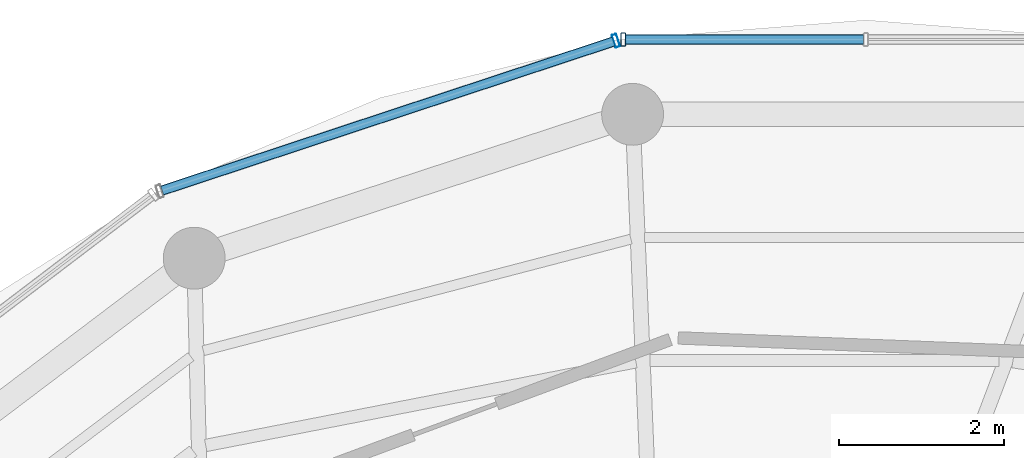
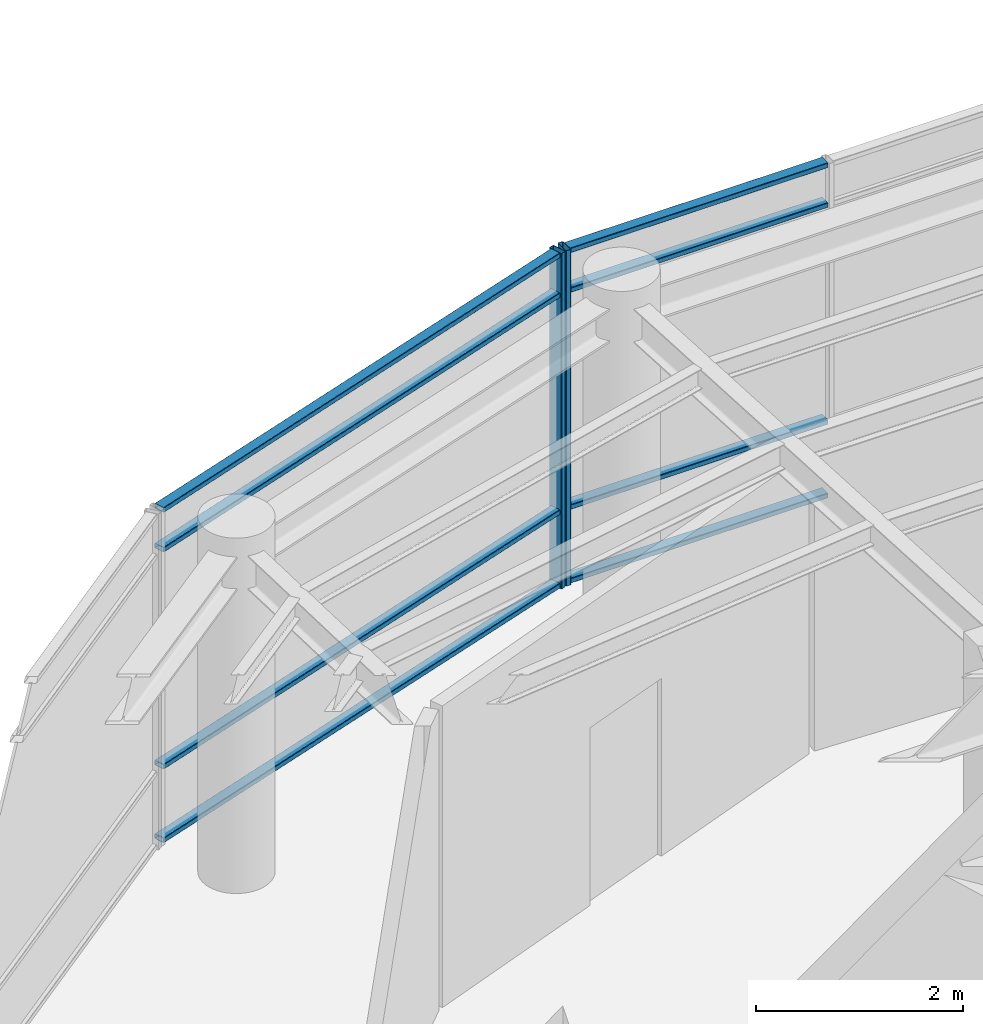
# One storey, part 11 of 19: 10 members, 2 elements without a shape of their own.
"""IFC4 building model written with IfcOpenShell, lengths in metres."""

import ifcopenshell
import ifcopenshell.guid

model = None  # the IFC model being written
_history = None  # IfcOwnerHistory: only IFC2X3 demands one
_inside = {}  # id of a spatial element -> (the spatial element, [elements in it])
_under = {}  # id of a project, library or spatial element -> (it, [spatial elements below it])
_declared = {}  # id of a project -> (the project, [libraries it declares])
_typed = {}  # id of a type object -> (the type object, [elements of that type])
_made_of = {}  # id of a material, layer set ... -> (it, [elements and type objects made of it])


def new_model(schema):
    """Start an empty IFC model of exactly this schema.

    Asked for "IFC4X3", IfcOpenShell would pick the latest addendum, in which some entities
    have other attributes; the version numbers below select the first issue.
    IFC2X3 requires an IfcOwnerHistory on every rooted entity: one is made here for all.
    """
    global model, _history
    if schema == "IFC4X3":
        model = ifcopenshell.file(schema_version=(4, 3, 0, 0))
    else:
        model = ifcopenshell.file(schema=schema)
    _inside.clear()
    _under.clear()
    _declared.clear()
    _typed.clear()
    _made_of.clear()
    _history = None
    if model.schema == "IFC2X3":
        org = make("IfcOrganization", Name="unknown")
        user = make(
            "IfcPersonAndOrganization",
            ThePerson=make("IfcPerson", FamilyName="unknown"),
            TheOrganization=org,
        )
        app = make(
            "IfcApplication",
            ApplicationDeveloper=org,
            Version="unknown",
            ApplicationFullName="unknown",
            ApplicationIdentifier="unknown",
        )
        _history = make(
            "IfcOwnerHistory",
            OwningUser=user,
            OwningApplication=app,
            ChangeAction="ADDED",
            CreationDate=0,
        )
    return model


def make(cls, **values):
    """One entity of the class cls with the attributes given. An attribute that is None is left unset."""
    return model.create_entity(
        cls, **{name: value for name, value in values.items() if value is not None}
    )


def rooted(cls, **values):
    """An entity with a GlobalId (a new one), such as an element, a storey or a relation."""
    return make(cls, GlobalId=ifcopenshell.guid.new(), OwnerHistory=_history, **values)


def si_unit(unit_type, name, prefix=None):
    """IfcSIUnit, for example si_unit("LENGTHUNIT", "METRE", prefix="MILLI")."""
    return make("IfcSIUnit", UnitType=unit_type, Prefix=prefix, Name=name)


def assignment(units):
    """IfcUnitAssignment: the units of a project."""
    return None if units is None else make("IfcUnitAssignment", Units=units)


def point(xyz):
    """IfcCartesianPoint."""
    return None if xyz is None else make("IfcCartesianPoint", Coordinates=xyz)


def direction(xyz):
    """IfcDirection."""
    return None if xyz is None else make("IfcDirection", DirectionRatios=xyz)


def frame(location, z_axis=None, x_axis=None):
    """IfcAxis2Placement3D, a coordinate frame: its origin and axes. An axis left out is left unset."""
    return make(
        "IfcAxis2Placement3D",
        Location=point(location),
        Axis=direction(z_axis),
        RefDirection=direction(x_axis),
    )


def frame_2d(location, x_axis=None):
    """IfcAxis2Placement2D, a coordinate frame in the plane: its origin and x axis."""
    return make(
        "IfcAxis2Placement2D", Location=point(location), RefDirection=direction(x_axis)
    )


def origin():
    """The frame at (0, 0, 0) with its axes left unset."""
    return frame((0.0, 0.0, 0.0))


def origin_2d():
    """The frame at (0, 0) in the plane with its x axis left unset."""
    return frame_2d((0.0, 0.0))


def place(relative_to, where):
    """IfcLocalPlacement: puts the frame where relative to a parent placement (None: the world)."""
    return make(
        "IfcLocalPlacement", PlacementRelTo=relative_to, RelativePlacement=where
    )


def context(
    kind, dimensions, precision=None, world=None, true_north=None, identifier=None
):
    """IfcGeometricRepresentationContext, for example the 3D "Model" context."""
    return make(
        "IfcGeometricRepresentationContext",
        ContextIdentifier=identifier,
        ContextType=kind,
        CoordinateSpaceDimension=dimensions,
        Precision=precision,
        WorldCoordinateSystem=world,
        TrueNorth=true_north,
    )


def subcontext(parent, identifier, kind, view, scale=None):
    """IfcGeometricRepresentationSubContext, for example "Body" below "Model"."""
    return make(
        "IfcGeometricRepresentationSubContext",
        ContextIdentifier=identifier,
        ContextType=kind,
        ParentContext=parent,
        TargetScale=scale,
        TargetView=view,
    )


def project(units=None, contexts=None):
    """IfcProject with its units and contexts."""
    return rooted(
        "IfcProject",
        Name="project",
        RepresentationContexts=contexts,
        UnitsInContext=assignment(units),
    )


def spatial(cls, under=None, at=None, **own):
    """A site, building, storey or space (cls), placed at a placement, below another one or the project."""
    s = rooted(cls, ObjectPlacement=at, **own)
    if under is not None:
        _under.setdefault(under.id(), (under, []))[1].append(s)
    return s


def profile(cls, at=None, kind="AREA", **sizes):
    """A parametric profile (cls). Its sizes go by their IFC names, for example OverallWidth=200.0."""
    return make(cls, ProfileType=kind, Position=at, **sizes)


def hollow_rectangle(**sizes):
    """IfcRectangleHollowProfileDef."""
    return profile("IfcRectangleHollowProfileDef", **sizes)


def extrude(swept, where, along, depth):
    """IfcExtrudedAreaSolid: the profile swept, set in the frame where, extruded along a direction by depth."""
    return make(
        "IfcExtrudedAreaSolid",
        SweptArea=swept,
        Position=where,
        ExtrudedDirection=direction(along),
        Depth=depth,
    )


def shape(context_of_items, identifier, shape_type, items):
    """IfcShapeRepresentation: the items that make up one representation, for example the "Body"."""
    return make(
        "IfcShapeRepresentation",
        ContextOfItems=context_of_items,
        RepresentationIdentifier=identifier,
        RepresentationType=shape_type,
        Items=items,
    )


def material(Name=None, Category=None):
    """IfcMaterial."""
    return make("IfcMaterial", Name=Name, Category=Category)


def layer(
    of_material, thickness, ventilated=None, Name=None, Category=None, Priority=None
):
    """IfcMaterialLayer: one layer of a wall or slab, of a material (None: an air gap)."""
    return make(
        "IfcMaterialLayer",
        Material=of_material,
        LayerThickness=thickness,
        IsVentilated=ventilated,
        Name=Name,
        Category=Category,
        Priority=Priority,
    )


def layer_set(layers, Name=None):
    """IfcMaterialLayerSet."""
    return make("IfcMaterialLayerSet", MaterialLayers=layers, LayerSetName=Name)


def material_profile(
    of_material, cross_section, Name=None, Category=None, Priority=None
):
    """IfcMaterialProfile: a cross section and its material."""
    return make(
        "IfcMaterialProfile",
        Name=Name,
        Material=of_material,
        Profile=cross_section,
        Priority=Priority,
        Category=Category,
    )


def profile_set(profiles, Name=None, composite=None):
    """IfcMaterialProfileSet."""
    return make(
        "IfcMaterialProfileSet",
        Name=Name,
        MaterialProfiles=profiles,
        CompositeProfile=composite,
    )


def made_of(thing, what):
    """Note that an element or type object is made of a material, layer set ...; save() writes the relation."""
    if what is not None:
        _made_of.setdefault(what.id(), (what, []))[1].append(thing)
    return thing


def type_object(cls, material=None, **own):
    """A type object (cls), such as IfcWallType, which elements share."""
    return made_of(rooted(cls, **own), material)


def element(
    cls,
    number,
    at=None,
    inside=None,
    cuts=None,
    type_object=None,
    material=None,
    context=None,
    identifier="Body",
    shape_type=None,
    held_by="IfcProductDefinitionShape",
    body=None,
    shapes=None,
    **own,
):
    """One element of the class cls, such as IfcWall. Its Tag is "e" and its number.

    at: its placement. inside: the storey or other place that contains it. cuts: it is an
    opening in that element (IfcRelVoidsElement). A single representation is given by context,
    identifier, shape_type and body (its items); several are given by shapes. held_by: the class
    of the entity that holds the representations. save() writes the other relations.
    """
    e = rooted(cls, Tag="e%d" % number, ObjectPlacement=at, **own)
    if body is not None:
        shapes = [shape(context, identifier, shape_type, body)]
    if shapes is not None:
        e.Representation = make(held_by, Representations=shapes)
    if inside is not None:
        _inside.setdefault(inside.id(), (inside, []))[1].append(e)
    if cuts is not None:
        rooted(
            "IfcRelVoidsElement", RelatingBuildingElement=cuts, RelatedOpeningElement=e
        )
    if type_object is not None:
        _typed.setdefault(type_object.id(), (type_object, []))[1].append(e)
    return made_of(e, material)


def aggregate(whole, parts):
    """IfcRelAggregates: a whole, such as a stair, and the parts it consists of."""
    return rooted("IfcRelAggregates", RelatingObject=whole, RelatedObjects=parts)


def save(model, path):
    """Write the relations noted so far, then the file.

    IfcRelAggregates (storeys below a building ...), IfcRelContainedInSpatialStructure (elements
    in a storey), IfcRelDefinesByType, IfcRelAssociatesMaterial and IfcRelDeclares: one each for
    every whole, place, type object, material and project.
    """
    for whole, parts in _under.values():
        aggregate(whole, parts)
    for where, things in _inside.values():
        rooted(
            "IfcRelContainedInSpatialStructure",
            RelatedElements=things,
            RelatingStructure=where,
        )
    for kind, things in _typed.values():
        rooted("IfcRelDefinesByType", RelatedObjects=things, RelatingType=kind)
    for what, things in _made_of.values():
        rooted("IfcRelAssociatesMaterial", RelatedObjects=things, RelatingMaterial=what)
    for by, libraries in _declared.values():
        rooted("IfcRelDeclares", RelatingContext=by, RelatedDefinitions=libraries)
    model.write(path)


model = new_model("IFC4")

# Units and contexts
model_context = context("Model", 3, precision=1e-05, world=origin(), true_north=direction((0.0, 1.0)))
body_context = subcontext(model_context, "Body", "Model", "MODEL_VIEW")
ifc_project = project(units=[si_unit("LENGTHUNIT", "METRE"), si_unit("AREAUNIT", "SQUARE_METRE"), si_unit("VOLUMEUNIT", "CUBIC_METRE"), si_unit("PLANEANGLEUNIT", "RADIAN"), si_unit("MASSUNIT", "GRAM", prefix="KILO")], contexts=[model_context])

# Site, building, storey
site_placement = place(None, origin())
site = spatial("IfcSite", under=ifc_project, at=site_placement, CompositionType="ELEMENT")
building_placement = place(site_placement, origin())
building = spatial("IfcBuilding", under=site, at=building_placement, Name="Kelanora Arch Commons", CompositionType="ELEMENT")
storey_placement = place(building_placement, frame((0.0, 0.0, 306.89990234375)))
storey = spatial("IfcBuildingStorey", under=building, at=storey_placement, Name="L78", CompositionType="ELEMENT", Elevation=306.89990234375)

# Curtain wall, member
ifc_material_1 = material(Name="Terracotta ceramic-fritted low-E glass and aluminium", Category="masonry")
ifc_layer = layer(ifc_material_1, 0.14990234375)
ifc_layer_set = layer_set([ifc_layer], Name="Terracotta ceramic-fritted low-E glass and aluminium")
curtain_wall_type = type_object("IfcCurtainWallType", Name="CW-SYS-06", PredefinedType="NOTDEFINED", material=ifc_layer_set)
curtain_wall_1_placement = place(storey_placement, origin())
curtain_wall_1 = element("IfcCurtainWall", 1, at=curtain_wall_1_placement, inside=storey, type_object=curtain_wall_type, Name="Unitised Curtain Wall L78-B04", PredefinedType="NOTDEFINED")
ifc_material_2 = material(Name="Powder-coated aluminium terracotta", Category="masonry")
ifc_material_profile_1 = material_profile(ifc_material_2, hollow_rectangle(XDim=0.159912109375, YDim=0.06005859375, WallThickness=0.0048828125, InnerFilletRadius=0.0048828125, OuterFilletRadius=0.010009765625, at=origin_2d()), Name="CWM160x60")
ifc_profile_set_1 = profile_set([ifc_material_profile_1], Name="Powder-coated aluminium terracotta")
member_type_1 = type_object("IfcMemberType", Name="CWM-STD", PredefinedType="MULLION", material=ifc_profile_set_1)
member_1_placement = place(storey_placement, frame((71.058349609375, 73.363037109375, 0.0), z_axis=(0.0, 0.0, 1.0), x_axis=(0.0, -1.0, 0.0)))
member_1 = element("IfcMember", 2, at=member_1_placement, type_object=member_type_1, Name="CW-06 mullion 3", PredefinedType="MULLION", context=body_context, shape_type="SweptSolid", body=[
    extrude(hollow_rectangle(XDim=0.159912109375, YDim=0.06005859375, WallThickness=0.0048828125, InnerFilletRadius=0.0048828125, OuterFilletRadius=0.010009765625, at=origin_2d()), origin(), (0.0, 0.0, 1.0), 3.965087890625),
])

curtain_wall_2_placement = place(storey_placement, origin())
curtain_wall_2 = element("IfcCurtainWall", 3, at=curtain_wall_2_placement, inside=storey, type_object=curtain_wall_type, Name="Unitised Curtain Wall L78-B05", PredefinedType="NOTDEFINED")
member_2_placement = place(storey_placement, frame((70.970703125, 73.348876953125, 0.0), z_axis=(0.0, 0.0, 1.0), x_axis=(0.313466845323, -0.949599145368, 0.0)))
member_2 = element("IfcMember", 4, at=member_2_placement, type_object=member_type_1, Name="CW-06 mullion 1", PredefinedType="MULLION", context=body_context, shape_type="SweptSolid", body=[
    extrude(hollow_rectangle(XDim=0.159912109375, YDim=0.06005859375, WallThickness=0.0048828125, InnerFilletRadius=0.0048828125, OuterFilletRadius=0.010009765625, at=origin_2d()), origin(), (0.0, 0.0, 1.0), 3.965087890625),
])

# Member
ifc_material_profile_2 = material_profile(ifc_material_2, hollow_rectangle(XDim=0.1201171875, YDim=0.06005859375, WallThickness=0.0048828125, InnerFilletRadius=0.0048828125, OuterFilletRadius=0.010009765625, at=origin_2d()), Name="CWT120x60")
ifc_profile_set_2 = profile_set([ifc_material_profile_2], Name="Powder-coated aluminium terracotta")
member_type_2 = type_object("IfcMemberType", Name="CWT-STD", PredefinedType="USERDEFINED", material=ifc_profile_set_2)
member_3_placement = place(storey_placement, frame((73.969970703125, 73.363037109375, 0.030029296875), z_axis=(-1.0, 0.0, 0.0), x_axis=(0.0, -1.0, 0.0)))
member_3 = element("IfcMember", 5, at=member_3_placement, type_object=member_type_2, Name="CW-06 transom 2.1", ObjectType="TRANSOM", PredefinedType="USERDEFINED", context=body_context, shape_type="SweptSolid", body=[
    extrude(hollow_rectangle(XDim=0.1201171875, YDim=0.06005859375, WallThickness=0.0048828125, InnerFilletRadius=0.0048828125, OuterFilletRadius=0.010009765625, at=origin_2d()), origin(), (0.0, 0.0, 1.0), 2.881591796875),
])

member_4_placement = place(storey_placement, frame((73.969970703125, 73.363037109375, 0.900146484375), z_axis=(-1.0, 0.0, 0.0), x_axis=(0.0, -1.0, 0.0)))
member_4 = element("IfcMember", 6, at=member_4_placement, type_object=member_type_2, Name="CW-06 transom 2.2", ObjectType="TRANSOM", PredefinedType="USERDEFINED", context=body_context, shape_type="SweptSolid", body=[
    extrude(hollow_rectangle(XDim=0.1201171875, YDim=0.06005859375, WallThickness=0.0048828125, InnerFilletRadius=0.0048828125, OuterFilletRadius=0.010009765625, at=origin_2d()), origin(), (0.0, 0.0, 1.0), 2.881591796875),
])

member_5_placement = place(storey_placement, frame((73.969970703125, 73.363037109375, 3.465087890625), z_axis=(-1.0, 0.0, 0.0), x_axis=(0.0, -1.0, 0.0)))
member_5 = element("IfcMember", 7, at=member_5_placement, type_object=member_type_2, Name="CW-06 transom 2.3", ObjectType="TRANSOM", PredefinedType="USERDEFINED", context=body_context, shape_type="SweptSolid", body=[
    extrude(hollow_rectangle(XDim=0.1201171875, YDim=0.06005859375, WallThickness=0.0048828125, InnerFilletRadius=0.0048828125, OuterFilletRadius=0.010009765625, at=origin_2d()), origin(), (0.0, 0.0, 1.0), 2.881591796875),
])

member_6_placement = place(storey_placement, frame((73.969970703125, 73.363037109375, 3.93505859375), z_axis=(-1.0, 0.0, 0.0), x_axis=(0.0, -1.0, 0.0)))
member_6 = element("IfcMember", 8, at=member_6_placement, type_object=member_type_2, Name="CW-06 transom 2.4", ObjectType="TRANSOM", PredefinedType="USERDEFINED", context=body_context, shape_type="SweptSolid", body=[
    extrude(hollow_rectangle(XDim=0.1201171875, YDim=0.06005859375, WallThickness=0.0048828125, InnerFilletRadius=0.0048828125, OuterFilletRadius=0.010009765625, at=origin_2d()), origin(), (0.0, 0.0, 1.0), 2.881591796875),
])

aggregate(curtain_wall_1, [member_1, member_3, member_4, member_5, member_6])

member_7_placement = place(storey_placement, frame((70.942138671875, 73.339599609375, 0.030029296875), z_axis=(-0.949590431956, -0.31349324002, 0.0), x_axis=(0.31349324002, -0.949590431956, 0.0)))
member_7 = element("IfcMember", 9, at=member_7_placement, type_object=member_type_2, Name="CW-06 transom 1.1", ObjectType="TRANSOM", PredefinedType="USERDEFINED", context=body_context, shape_type="SweptSolid", body=[
    extrude(hollow_rectangle(XDim=0.1201171875, YDim=0.06005859375, WallThickness=0.0048828125, InnerFilletRadius=0.0048828125, OuterFilletRadius=0.010009765625, at=origin_2d()), origin(), (0.0, 0.0, 1.0), 5.761474609375),
])

member_8_placement = place(storey_placement, frame((70.942138671875, 73.339599609375, 0.900146484375), z_axis=(-0.949590431956, -0.31349324002, 0.0), x_axis=(0.31349324002, -0.949590431956, 0.0)))
member_8 = element("IfcMember", 10, at=member_8_placement, type_object=member_type_2, Name="CW-06 transom 1.2", ObjectType="TRANSOM", PredefinedType="USERDEFINED", context=body_context, shape_type="SweptSolid", body=[
    extrude(hollow_rectangle(XDim=0.1201171875, YDim=0.06005859375, WallThickness=0.0048828125, InnerFilletRadius=0.0048828125, OuterFilletRadius=0.010009765625, at=origin_2d()), origin(), (0.0, 0.0, 1.0), 5.761474609375),
])

member_9_placement = place(storey_placement, frame((70.942138671875, 73.339599609375, 3.465087890625), z_axis=(-0.949590431956, -0.31349324002, 0.0), x_axis=(0.31349324002, -0.949590431956, 0.0)))
member_9 = element("IfcMember", 11, at=member_9_placement, type_object=member_type_2, Name="CW-06 transom 1.3", ObjectType="TRANSOM", PredefinedType="USERDEFINED", context=body_context, shape_type="SweptSolid", body=[
    extrude(hollow_rectangle(XDim=0.1201171875, YDim=0.06005859375, WallThickness=0.0048828125, InnerFilletRadius=0.0048828125, OuterFilletRadius=0.010009765625, at=origin_2d()), origin(), (0.0, 0.0, 1.0), 5.761474609375),
])

member_10_placement = place(storey_placement, frame((70.942138671875, 73.339599609375, 3.93505859375), z_axis=(-0.949590431956, -0.31349324002, 0.0), x_axis=(0.31349324002, -0.949590431956, 0.0)))
member_10 = element("IfcMember", 12, at=member_10_placement, type_object=member_type_2, Name="CW-06 transom 1.4", ObjectType="TRANSOM", PredefinedType="USERDEFINED", context=body_context, shape_type="SweptSolid", body=[
    extrude(hollow_rectangle(XDim=0.1201171875, YDim=0.06005859375, WallThickness=0.0048828125, InnerFilletRadius=0.0048828125, OuterFilletRadius=0.010009765625, at=origin_2d()), origin(), (0.0, 0.0, 1.0), 5.761474609375),
])

aggregate(curtain_wall_2, [member_2, member_7, member_8, member_9, member_10])

save(model, "model.ifc")
